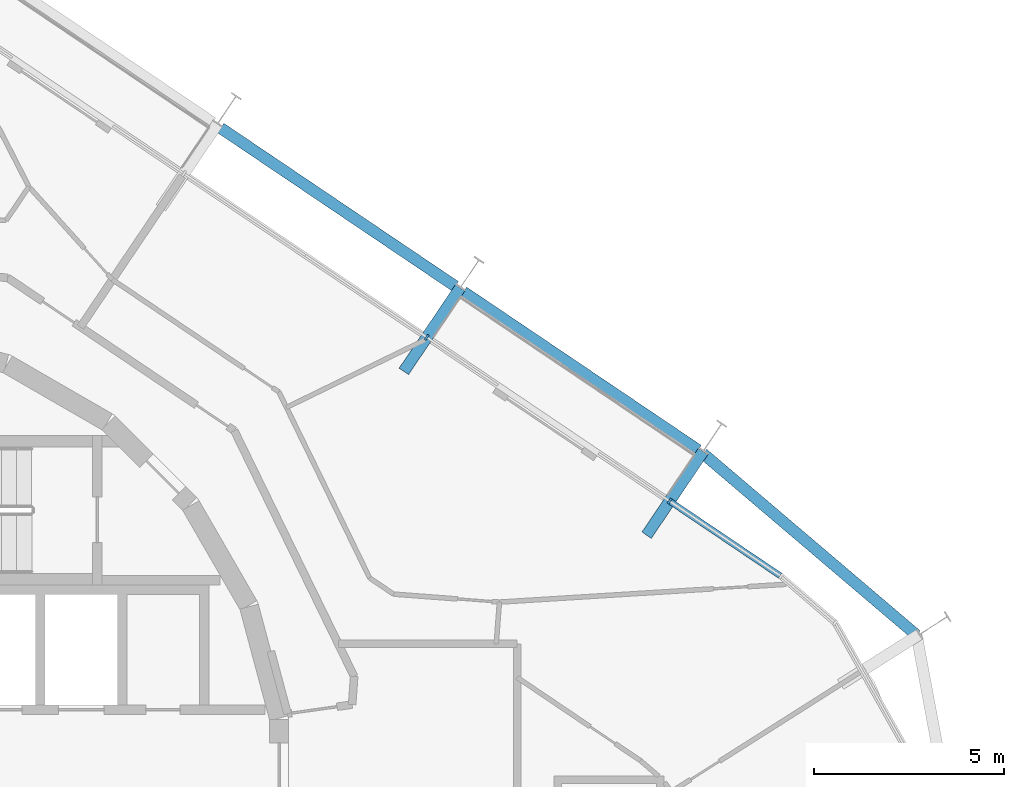
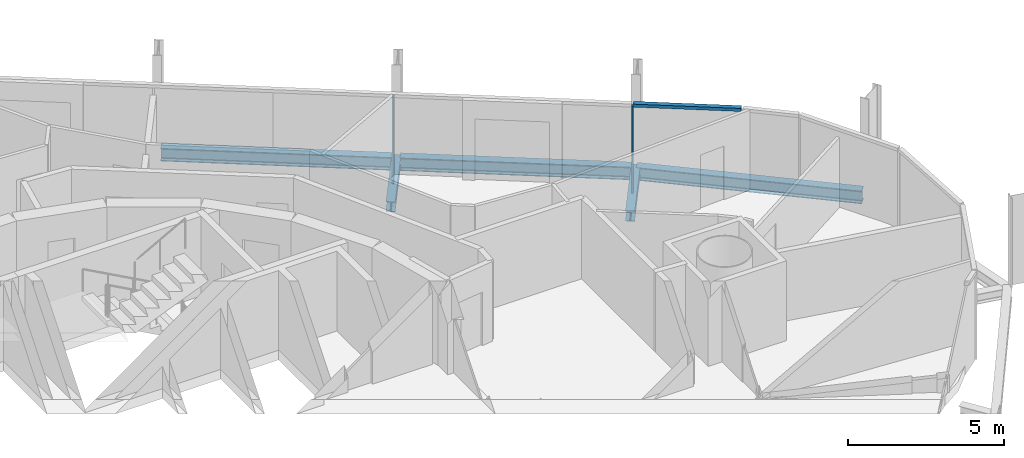
# One storey, part 9 of 17: 5 beams, 3 members, 2 elements without a shape of their own.
"""IFC4 building model written with IfcOpenShell, lengths in metres."""

from ifc_helpers import new_model, si_unit, direction, frame, origin, origin_2d, place, context, subcontext, project, spatial, rectangle, i_section, extrude, material, layer, layer_set, material_profile, profile_set, type_object, element, aggregate, save


model = new_model("IFC4")

# Units and contexts
model_context = context("Model", 3, precision=1e-05, world=origin(), true_north=direction((0.0, 1.0)))
body_context = subcontext(model_context, "Body", "Model", "MODEL_VIEW")
ifc_project = project(units=[si_unit("LENGTHUNIT", "METRE"), si_unit("AREAUNIT", "SQUARE_METRE"), si_unit("VOLUMEUNIT", "CUBIC_METRE"), si_unit("PLANEANGLEUNIT", "RADIAN"), si_unit("MASSUNIT", "GRAM", prefix="KILO")], contexts=[model_context])

# Site, building, storey
site_placement = place(None, origin())
site = spatial("IfcSite", under=ifc_project, at=site_placement, CompositionType="ELEMENT")
building_placement = place(site_placement, origin())
building = spatial("IfcBuilding", under=site, at=building_placement, Name="Spindle Arch Residences", CompositionType="ELEMENT")
storey_placement = place(building_placement, frame((0.0, 0.0, 212.89990234375)))
storey = spatial("IfcBuildingStorey", under=building, at=storey_placement, Name="L54", CompositionType="ELEMENT", Elevation=212.89990234375)

# Curtain wall, members
ifc_material_1 = material(Name="Aluminium bronze unitised frame with tinted glass", Category="aluminium")
ifc_layer_1 = layer(ifc_material_1, 0.159912109375)
ifc_layer_set_1 = layer_set([ifc_layer_1], Name="CW-C typical residential unitised wall")
curtain_wall_type_1 = type_object("IfcCurtainWallType", Name="CW-C typical residential unitised wall", PredefinedType="NOTDEFINED", material=ifc_layer_set_1)
curtain_wall_1_placement = place(storey_placement, origin())
curtain_wall_1 = element("IfcCurtainWall", 1, at=curtain_wall_1_placement, inside=storey, type_object=curtain_wall_type_1, Name="CW-C L54 run 2", PredefinedType="NOTDEFINED")
ifc_material_2 = material(Name="Aluminium bronze anodised mullion", Category="aluminium")
ifc_material_profile_1 = material_profile(ifc_material_2, rectangle(XDim=0.159912109375, YDim=0.06005859375, at=origin_2d()), Name="MU 60x160")
ifc_profile_set_1 = profile_set([ifc_material_profile_1], Name="Aluminium bronze anodised mullion")
member_type_1 = type_object("IfcMemberType", Name="Bronze mullion 60x160", PredefinedType="MULLION", material=ifc_profile_set_1)
member_1_placement = place(storey_placement, frame((21.905029296875, 7.25146484375, -0.3798828125), z_axis=(0.0, 0.0, 1.0), x_axis=(-0.559192903471, -0.829037572555, 0.0)))
member_1 = element("IfcMember", 2, at=member_1_placement, type_object=member_type_1, Name="CW-C mullion 05", PredefinedType="MULLION", context=body_context, shape_type="SweptSolid", body=[
    extrude(rectangle(XDim=0.159912109375, YDim=0.06005859375, at=origin_2d()), origin(), (0.0, 0.0, 1.0), 3.3798828125),
])
member_2_placement = place(storey_placement, frame((15.526611328125, 11.5537109375, -0.3798828125), z_axis=(0.0, 0.0, 1.0), x_axis=(-0.559192903471, -0.829037572555, 0.0)))
member_2 = element("IfcMember", 3, at=member_2_placement, type_object=member_type_1, Name="CW-C mullion 06", PredefinedType="MULLION", context=body_context, shape_type="SweptSolid", body=[
    extrude(rectangle(XDim=0.159912109375, YDim=0.06005859375, at=origin_2d()), origin(), (0.0, 0.0, 1.0), 3.3798828125),
])
aggregate(curtain_wall_1, [member_1, member_2])

# Curtain wall, member
ifc_material_3 = material(Name="Aluminium bronze unitised frame with tinted glass", Category="aluminium")
ifc_layer_2 = layer(ifc_material_3, 0.159912109375)
ifc_layer_set_2 = layer_set([ifc_layer_2], Name="CW-D corner wall on the fillet arcs")
curtain_wall_type_2 = type_object("IfcCurtainWallType", Name="CW-D corner wall on the fillet arcs", PredefinedType="NOTDEFINED", material=ifc_layer_set_2)
curtain_wall_2_placement = place(storey_placement, origin())
curtain_wall_2 = element("IfcCurtainWall", 4, at=curtain_wall_2_placement, inside=storey, type_object=curtain_wall_type_2, Name="CW-D L54 run 1", PredefinedType="NOTDEFINED")
ifc_material_4 = material(Name="Aluminium bronze anodised transom", Category="aluminium")
ifc_material_profile_2 = material_profile(ifc_material_4, rectangle(XDim=0.159912109375, YDim=0.1201171875, at=origin_2d()), Name="TR 120x160")
ifc_profile_set_2 = profile_set([ifc_material_profile_2], Name="Aluminium bronze anodised transom")
member_type_2 = type_object("IfcMemberType", Name="Bronze transom 120x160", PredefinedType="USERDEFINED", material=ifc_profile_set_2)
member_3_placement = place(storey_placement, frame((24.805419921875, 5.295166015625, 3.06005859375), z_axis=(-0.829049362711, 0.559175423448, 0.0), x_axis=(-0.559175423448, -0.829049362711, 0.0)))
member_3 = element("IfcMember", 5, at=member_3_placement, type_object=member_type_2, Name="CW-D transom 06", ObjectType="TRANSOM", PredefinedType="USERDEFINED", context=body_context, shape_type="SweptSolid", body=[
    extrude(rectangle(XDim=0.159912109375, YDim=0.1201171875, at=origin_2d()), origin(), (0.0, 0.0, 1.0), 3.468505859375),
])
aggregate(curtain_wall_2, [member_3])

# Beams
ifc_material_5 = material(Name="Steel S460ML, intumescent coating R 120", Category="steel")
ifc_material_profile_3 = material_profile(ifc_material_5, i_section(OverallWidth=0.300048828125, OverallDepth=0.5, WebThickness=0.014404296875, FlangeThickness=0.028076171875, FilletRadius=0.027099609375, at=origin_2d()), Name="HEB 500")
ifc_profile_set_3 = profile_set([ifc_material_profile_3], Name="Steel S460ML, intumescent coating R 120")
beam_type_1 = type_object("IfcBeamType", Name="Exoskeleton edge beam HEB 500", PredefinedType="BEAM", material=ifc_profile_set_3)
beam_placement = place(storey_placement, frame((28.39208984375, 3.72998046875, -0.6298828125), z_axis=(-0.761813327651, 0.647796614543, 0.0), x_axis=(-0.647796614543, -0.761813327651, 0.0)))
element("IfcBeam", 6, at=beam_placement, inside=storey, type_object=beam_type_1, Name="Exoskeleton edge beam 5", PredefinedType="BEAM", context=body_context, shape_type="SweptSolid", body=[
    extrude(i_section(OverallWidth=0.300048828125, OverallDepth=0.5, WebThickness=0.014404296875, FlangeThickness=0.028076171875, FilletRadius=0.027099609375, at=origin_2d()), origin(), (0.0, 0.0, 1.0), 7.36376953125),
])
for number, where, z_axis, x_axis, name in (
    (7, (22.65283203125, 8.592529296875, -0.6298828125), (-0.829031763913, 0.55920151504, 0.0), (-0.55920151504, -0.829031763913, 0.0), "Exoskeleton edge beam 6"),
    (8, (16.2744140625, 12.894775390625, -0.6298828125), (-0.829031763913, 0.55920151504, 0.0), (-0.55920151504, -0.829031763913, 0.0), "Exoskeleton edge beam 7"),
):
    element("IfcBeam", number, at=place(storey_placement, frame(where, z_axis=z_axis, x_axis=x_axis)), inside=storey, type_object=beam_type_1, Name=name, PredefinedType="BEAM", context=body_context, shape_type="SweptSolid", body=[
        extrude(i_section(OverallWidth=0.300048828125, OverallDepth=0.5, WebThickness=0.014404296875, FlangeThickness=0.028076171875, FilletRadius=0.027099609375, at=origin_2d()), origin(), (0.0, 0.0, 1.0), 7.433837890625),
    ])
ifc_material_6 = material(Name="Steel S460ML, intumescent coating R 120", Category="steel")
ifc_material_profile_4 = material_profile(ifc_material_6, i_section(OverallWidth=0.300048828125, OverallDepth=0.389892578125, WebThickness=0.010986328125, FlangeThickness=0.01904296875, FilletRadius=0.027099609375, at=origin_2d()), Name="HEA 400")
ifc_profile_set_4 = profile_set([ifc_material_profile_4], Name="Steel S460ML, intumescent coating R 120")
beam_type_2 = type_object("IfcBeamType", Name="Floor outrigger HEA 400", PredefinedType="BEAM", material=ifc_profile_set_4)
for number, where, z_axis, x_axis, name in (
    (9, (22.782958984375, 8.552978515625, -0.574951171875), (-0.559199099546, -0.829033393216, 0.0), (0.829033393216, -0.559199099546, 0.0), "Floor outrigger 6"),
    (10, (16.404541015625, 12.855224609375, -0.574951171875), (-0.559199099546, -0.829033393216, 0.0), (0.829033393216, -0.559199099546, 0.0), "Floor outrigger 7"),
):
    element("IfcBeam", number, at=place(storey_placement, frame(where, z_axis=z_axis, x_axis=x_axis)), inside=storey, type_object=beam_type_2, Name=name, PredefinedType="BEAM", context=body_context, shape_type="SweptSolid", body=[
        extrude(i_section(OverallWidth=0.300048828125, OverallDepth=0.389892578125, WebThickness=0.010986328125, FlangeThickness=0.01904296875, FilletRadius=0.027099609375, at=origin_2d()), origin(), (0.0, 0.0, 1.0), 2.650146484375),
    ])

save(model, "model.ifc")
